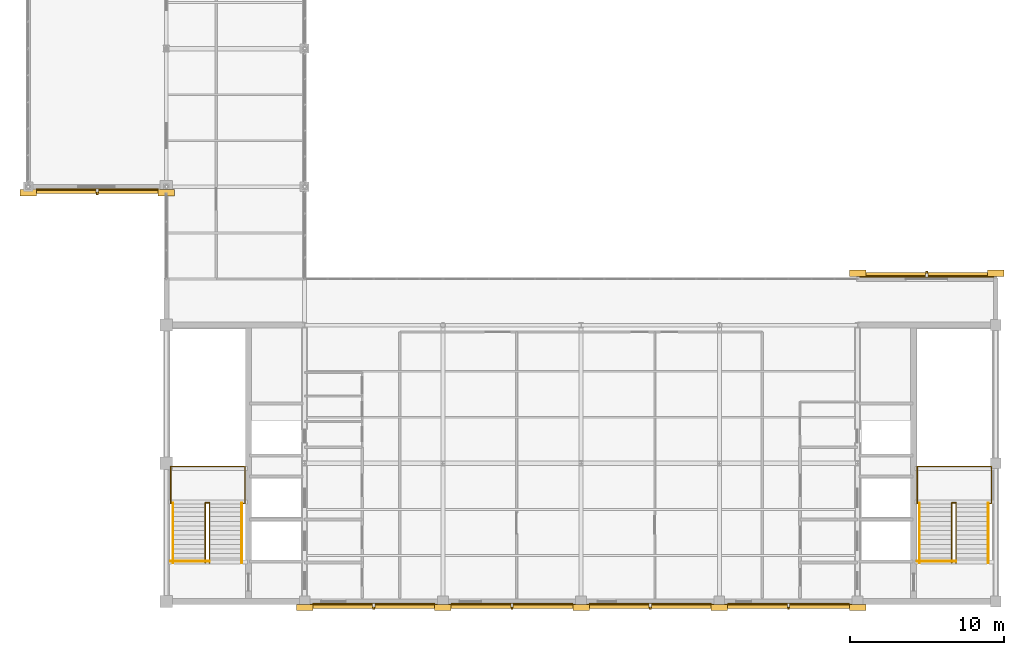
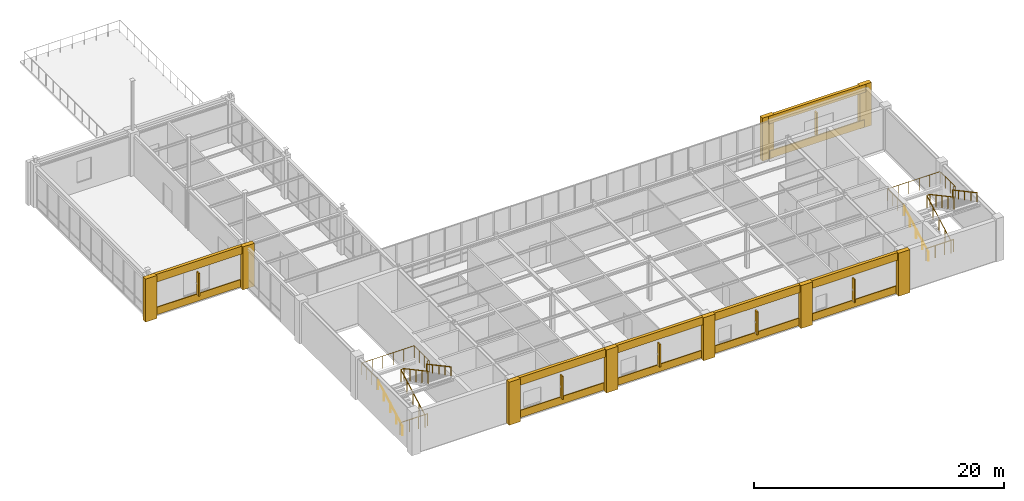
# One storey, part 35 of 36: 21 coverings, 10 railings, 6 shading devices.
"""IFC4 building model written with IfcOpenShell, lengths in metres."""

from ifc_helpers import new_model, si_unit, direction, frame, origin, origin_2d, place, context, subcontext, project, spatial, rectangle, circle, extrude, material, layer, layer_set, type_object, element, save


model = new_model("IFC4")

# Units and contexts
model_context = context("Model", 3, precision=1e-05, world=origin(), true_north=direction((0.0, 1.0)))
body_context = subcontext(model_context, "Body", "Model", "MODEL_VIEW")
ifc_project = project(units=[si_unit("LENGTHUNIT", "METRE"), si_unit("AREAUNIT", "SQUARE_METRE"), si_unit("VOLUMEUNIT", "CUBIC_METRE"), si_unit("PLANEANGLEUNIT", "RADIAN"), si_unit("MASSUNIT", "GRAM", prefix="KILO")], contexts=[model_context])

# Site, building, storey
site_placement = place(None, origin())
site = spatial("IfcSite", under=ifc_project, at=site_placement, CompositionType="ELEMENT")
building_placement = place(site_placement, origin())
building = spatial("IfcBuilding", under=site, at=building_placement, Name="Lykobir Media Centre", CompositionType="ELEMENT")
storey_placement = place(building_placement, frame((0.0, 0.0, 27.60009765625)))
storey = spatial("IfcBuildingStorey", under=building, at=storey_placement, Name="L06", CompositionType="ELEMENT", Elevation=27.60009765625)

# Coverings
ifc_material_1 = material(Name="Glazed Turquoise Terracotta", Category="masonry")
ifc_layer_1 = layer(ifc_material_1, 0.0400390625, Name="Glazed Turquoise Terracotta")
ifc_layer_set_1 = layer_set([ifc_layer_1], Name="Glazed Turquoise Terracotta")
covering_type_1 = type_object("IfcCoveringType", Name="CLD-TERR", PredefinedType="CLADDING", material=ifc_layer_set_1)
for number, where, z_axis, x_axis, name in (
    (1, (40.5, -0.1708984375, 0.080078125), (0.0, 0.0, 1.0), (1.0, 0.0, 0.0), "Facade spandrel apron 862"),
    (2, (49.5, -0.1708984375, 0.080078125), (0.0, 0.0, 1.0), (1.0, 0.0, 0.0), "Facade spandrel apron 865"),
    (3, (58.5, -0.1708984375, 0.080078125), (0.0, 0.0, 1.0), (1.0, 0.0, 0.0), "Facade spandrel apron 868"),
    (4, (67.5, -0.1708984375, 0.080078125), (0.0, 0.0, 1.0), (1.0, 0.0, 0.0), "Facade spandrel apron 871"),
):
    element("IfcCovering", number, at=place(storey_placement, frame(where, z_axis=z_axis, x_axis=x_axis)), inside=storey, type_object=covering_type_1, Name=name, PredefinedType="CLADDING", context=body_context, shape_type="SweptSolid", body=[
        extrude(rectangle(XDim=7.929931640625, YDim=0.10009765625, at=origin_2d()), origin(), (0.0, 0.0, 1.0), 0.719970703125),
    ])
covering_1_placement = place(storey_placement, frame((76.5, 21.1708984375, 0.080078125), z_axis=(0.0, 0.0, 1.0), x_axis=(-1.0, 0.0, 0.0)))
element("IfcCovering", 5, at=covering_1_placement, inside=storey, type_object=covering_type_1, Name="Facade spandrel apron 875", PredefinedType="CLADDING", context=body_context, shape_type="SweptSolid", body=[
    extrude(rectangle(XDim=8.75, YDim=0.10009765625, at=origin_2d()), origin(), (0.0, 0.0, 1.0), 0.719970703125),
])
covering_2_placement = place(storey_placement, frame((22.5, 26.8291015625, 0.080078125), z_axis=(0.0, 0.0, 1.0), x_axis=(1.0, 0.0, 0.0)))
element("IfcCovering", 6, at=covering_2_placement, inside=storey, type_object=covering_type_1, Name="Facade spandrel apron 886", PredefinedType="CLADDING", context=body_context, shape_type="SweptSolid", body=[
    extrude(rectangle(XDim=7.929931640625, YDim=0.10009765625, at=origin_2d()), origin(), (0.0, 0.0, 1.0), 0.719970703125),
])
ifc_material_2 = material(Name="Honed Travertine Stone", Category="masonry")
ifc_layer_2 = layer(ifc_material_2, 0.050048828125, Name="Honed Travertine Stone")
ifc_layer_set_2 = layer_set([ifc_layer_2], Name="Honed Travertine Stone")
covering_type_2 = type_object("IfcCoveringType", Name="CLD-TRAV", PredefinedType="CLADDING", material=ifc_layer_set_2)
for number, where, z_axis, x_axis, name in (
    (7, (36.0, -0.3798828125, 0.0), (0.0, 0.0, 1.0), (1.0, 0.0, 0.0), "Travertine column pier 859"),
    (8, (45.0, -0.3798828125, 0.0), (0.0, 0.0, 1.0), (1.0, 0.0, 0.0), "Travertine column pier 860"),
):
    element("IfcCovering", number, at=place(storey_placement, frame(where, z_axis=z_axis, x_axis=x_axis)), inside=storey, type_object=covering_type_2, Name=name, PredefinedType="CLADDING", context=body_context, shape_type="SweptSolid", body=[
        extrude(rectangle(XDim=1.06005859375, YDim=0.39990234375, at=origin_2d()), origin(), (0.0, 0.0, 1.0), 4.199951171875),
    ])
covering_3_placement = place(storey_placement, frame((40.5, -0.300048828125, 3.43994140625), z_axis=(0.0, 0.0, 1.0), x_axis=(1.0, 0.0, 0.0)))
element("IfcCovering", 9, at=covering_3_placement, inside=storey, type_object=covering_type_2, Name="Travertine spandrel stringcourse 861", PredefinedType="CLADDING", context=body_context, shape_type="SweptSolid", body=[
    extrude(rectangle(XDim=9.0, YDim=0.280029296875, at=origin_2d()), origin(), (0.0, 0.0, 1.0), 0.760009765625),
])
covering_4_placement = place(storey_placement, frame((54.0, -0.3798828125, 0.0), z_axis=(0.0, 0.0, 1.0), x_axis=(1.0, 0.0, 0.0)))
element("IfcCovering", 10, at=covering_4_placement, inside=storey, type_object=covering_type_2, Name="Travertine column pier 863", PredefinedType="CLADDING", context=body_context, shape_type="SweptSolid", body=[
    extrude(rectangle(XDim=1.06005859375, YDim=0.39990234375, at=origin_2d()), origin(), (0.0, 0.0, 1.0), 4.199951171875),
])
covering_5_placement = place(storey_placement, frame((49.5, -0.300048828125, 3.43994140625), z_axis=(0.0, 0.0, 1.0), x_axis=(1.0, 0.0, 0.0)))
element("IfcCovering", 11, at=covering_5_placement, inside=storey, type_object=covering_type_2, Name="Travertine spandrel stringcourse 864", PredefinedType="CLADDING", context=body_context, shape_type="SweptSolid", body=[
    extrude(rectangle(XDim=9.0, YDim=0.280029296875, at=origin_2d()), origin(), (0.0, 0.0, 1.0), 0.760009765625),
])
covering_6_placement = place(storey_placement, frame((63.0, -0.3798828125, 0.0), z_axis=(0.0, 0.0, 1.0), x_axis=(1.0, 0.0, 0.0)))
element("IfcCovering", 12, at=covering_6_placement, inside=storey, type_object=covering_type_2, Name="Travertine column pier 866", PredefinedType="CLADDING", context=body_context, shape_type="SweptSolid", body=[
    extrude(rectangle(XDim=1.06005859375, YDim=0.39990234375, at=origin_2d()), origin(), (0.0, 0.0, 1.0), 4.199951171875),
])
covering_7_placement = place(storey_placement, frame((58.5, -0.300048828125, 3.43994140625), z_axis=(0.0, 0.0, 1.0), x_axis=(1.0, 0.0, 0.0)))
element("IfcCovering", 13, at=covering_7_placement, inside=storey, type_object=covering_type_2, Name="Travertine spandrel stringcourse 867", PredefinedType="CLADDING", context=body_context, shape_type="SweptSolid", body=[
    extrude(rectangle(XDim=9.0, YDim=0.280029296875, at=origin_2d()), origin(), (0.0, 0.0, 1.0), 0.760009765625),
])
covering_8_placement = place(storey_placement, frame((72.0, -0.3798828125, 0.0), z_axis=(0.0, 0.0, 1.0), x_axis=(1.0, 0.0, 0.0)))
element("IfcCovering", 14, at=covering_8_placement, inside=storey, type_object=covering_type_2, Name="Travertine column pier 869", PredefinedType="CLADDING", context=body_context, shape_type="SweptSolid", body=[
    extrude(rectangle(XDim=1.06005859375, YDim=0.39990234375, at=origin_2d()), origin(), (0.0, 0.0, 1.0), 4.199951171875),
])
covering_9_placement = place(storey_placement, frame((67.5, -0.300048828125, 3.43994140625), z_axis=(0.0, 0.0, 1.0), x_axis=(1.0, 0.0, 0.0)))
element("IfcCovering", 15, at=covering_9_placement, inside=storey, type_object=covering_type_2, Name="Travertine spandrel stringcourse 870", PredefinedType="CLADDING", context=body_context, shape_type="SweptSolid", body=[
    extrude(rectangle(XDim=9.0, YDim=0.280029296875, at=origin_2d()), origin(), (0.0, 0.0, 1.0), 0.760009765625),
])
for number, where, z_axis, x_axis, name in (
    (16, (81.0, 21.3798828125, 0.0), (0.0, 0.0, 1.0), (-1.0, 0.0, 0.0), "Travertine column pier 872"),
    (17, (72.0, 21.3798828125, 0.0), (0.0, 0.0, 1.0), (-1.0, 0.0, 0.0), "Travertine column pier 873"),
):
    element("IfcCovering", number, at=place(storey_placement, frame(where, z_axis=z_axis, x_axis=x_axis)), inside=storey, type_object=covering_type_2, Name=name, PredefinedType="CLADDING", context=body_context, shape_type="SweptSolid", body=[
        extrude(rectangle(XDim=1.06005859375, YDim=0.39990234375, at=origin_2d()), origin(), (0.0, 0.0, 1.0), 4.199951171875),
    ])
covering_10_placement = place(storey_placement, frame((76.5, 21.300048828125, 3.43994140625), z_axis=(0.0, 0.0, 1.0), x_axis=(-1.0, 0.0, 0.0)))
element("IfcCovering", 18, at=covering_10_placement, inside=storey, type_object=covering_type_2, Name="Travertine spandrel stringcourse 874", PredefinedType="CLADDING", context=body_context, shape_type="SweptSolid", body=[
    extrude(rectangle(XDim=9.0, YDim=0.280029296875, at=origin_2d()), origin(), (0.0, 0.0, 1.0), 0.760009765625),
])
for number, where, z_axis, x_axis, name in (
    (19, (18.0, 26.6201171875, 0.0), (0.0, 0.0, 1.0), (1.0, 0.0, 0.0), "Travertine column pier 883"),
    (20, (27.0, 26.6201171875, 0.0), (0.0, 0.0, 1.0), (1.0, 0.0, 0.0), "Travertine column pier 884"),
):
    element("IfcCovering", number, at=place(storey_placement, frame(where, z_axis=z_axis, x_axis=x_axis)), inside=storey, type_object=covering_type_2, Name=name, PredefinedType="CLADDING", context=body_context, shape_type="SweptSolid", body=[
        extrude(rectangle(XDim=1.06005859375, YDim=0.39990234375, at=origin_2d()), origin(), (0.0, 0.0, 1.0), 4.199951171875),
    ])
covering_11_placement = place(storey_placement, frame((22.5, 26.699951171875, 3.43994140625), z_axis=(0.0, 0.0, 1.0), x_axis=(1.0, 0.0, 0.0)))
element("IfcCovering", 21, at=covering_11_placement, inside=storey, type_object=covering_type_2, Name="Travertine spandrel stringcourse 885", PredefinedType="CLADDING", context=body_context, shape_type="SweptSolid", body=[
    extrude(rectangle(XDim=9.0, YDim=0.280029296875, at=origin_2d()), origin(), (0.0, 0.0, 1.0), 0.760009765625),
])

# Railings
ifc_material_3 = material(Name="Steel S355", Category="steel")
railing_type_1 = type_object("IfcRailingType", Name="GR-1200", PredefinedType="BALUSTRADE", material=ifc_material_3)
railing_1_placement = place(storey_placement, frame((27.27001953125, 2.6298828125, 0.0)))
element("IfcRailing", 22, at=railing_1_placement, inside=storey, type_object=railing_type_1, Name="ST-1 L06 arrival well guard", PredefinedType="BALUSTRADE", context=body_context, shape_type="SweptSolid", body=[
    extrude(circle(Radius=0.02392578125, at=origin_2d()), frame((0.0, 0.0, 1.17578125), z_axis=(1.0, 0.0, 0.0), x_axis=(0.0, 1.0, 0.0)), (0.0, 0.0, 1.0), 2.5400390625),
    extrude(circle(Radius=0.02099609375, at=origin_2d()), origin(), (0.0, 0.0, 1.0), 1.15185546875),
    extrude(circle(Radius=0.02099609375, at=origin_2d()), frame((0.8466796875, 0.0, 0.0)), (0.0, 0.0, 1.0), 1.15185546875),
    extrude(circle(Radius=0.02099609375, at=origin_2d()), frame((1.693359375, 0.0, 0.0)), (0.0, 0.0, 1.0), 1.15185546875),
    extrude(circle(Radius=0.02099609375, at=origin_2d()), frame((2.5400390625, 0.0, 0.0)), (0.0, 0.0, 1.0), 1.15185546875),
])
railing_2_placement = place(storey_placement, frame((29.530029296875, 2.530029296875, 0.0)))
element("IfcRailing", 23, at=railing_2_placement, inside=storey, type_object=railing_type_1, Name="ST-1 L06 inner well and slot guard", PredefinedType="BALUSTRADE", context=body_context, shape_type="SweptSolid", body=[
    extrude(circle(Radius=0.02392578125, at=origin_2d()), frame((0.0, 0.0, 1.17578125), z_axis=(0.0, 0.88047994924, 0.474083388219), x_axis=(-1.0, 0.0, 0.0)), (0.0, 0.0, 1.0), 4.42919921875),
    extrude(circle(Radius=0.02392578125, at=origin_2d()), frame((0.0, 3.89990234375, 3.27587890625), z_axis=(1.0, 0.0, 0.0), x_axis=(0.0, 1.0, 0.0)), (0.0, 0.0, 1.0), 0.280029296875),
    extrude(circle(Radius=0.02392578125, at=origin_2d()), frame((0.280029296875, 3.89990234375, 3.27587890625), z_axis=(0.0, -0.880456940745, 0.474126117709), x_axis=(1.0, 0.0, 0.0)), (0.0, 0.0, 1.0), 4.429443359375),
    extrude(circle(Radius=0.02099609375, at=origin_2d()), origin(), (0.0, 0.0, 1.0), 1.15185546875),
    extrude(circle(Radius=0.02099609375, at=origin_2d()), frame((0.0, 0.97509765625, 0.52490234375)), (0.0, 0.0, 1.0), 1.15185546875),
    extrude(circle(Radius=0.02099609375, at=origin_2d()), frame((0.0, 1.949951171875, 1.0498046875)), (0.0, 0.0, 1.0), 1.15185546875),
    extrude(circle(Radius=0.02099609375, at=origin_2d()), frame((0.0, 2.9248046875, 1.574951171875)), (0.0, 0.0, 1.0), 1.15185546875),
    extrude(circle(Radius=0.02099609375, at=origin_2d()), frame((0.0, 3.89990234375, 2.099853515625)), (0.0, 0.0, 1.0), 1.15185546875),
    extrude(circle(Radius=0.02099609375, at=origin_2d()), frame((0.280029296875, 3.89990234375, 2.099853515625)), (0.0, 0.0, 1.0), 1.15185546875),
    extrude(circle(Radius=0.02099609375, at=origin_2d()), frame((0.280029296875, 2.9248046875, 2.625)), (0.0, 0.0, 1.0), 1.15185546875),
    extrude(circle(Radius=0.02099609375, at=origin_2d()), frame((0.280029296875, 1.949951171875, 3.14990234375)), (0.0, 0.0, 1.0), 1.15185546875),
    extrude(circle(Radius=0.02099609375, at=origin_2d()), frame((0.280029296875, 0.97509765625, 3.6748046875)), (0.0, 0.0, 1.0), 1.15185546875),
    extrude(circle(Radius=0.02099609375, at=origin_2d()), frame((0.280029296875, 0.0, 4.199951171875)), (0.0, 0.0, 1.0), 1.15185546875),
])
railing_3_placement = place(storey_placement, frame((27.389892578125, 6.389892578125, 2.099853515625)))
element("IfcRailing", 24, at=railing_3_placement, inside=storey, type_object=railing_type_1, Name="ST-1 L06 half-landing perimeter guard", PredefinedType="BALUSTRADE", context=body_context, shape_type="SweptSolid", body=[
    extrude(circle(Radius=0.02392578125, at=origin_2d()), frame((0.0, 0.0, 1.17578125), z_axis=(-1.0, 0.0, 0.0), x_axis=(0.0, -1.0, 0.0)), (0.0, 0.0, 1.0), 0.10986328125),
    extrude(circle(Radius=0.02392578125, at=origin_2d()), frame((-0.10986328125, 0.0, 1.17578125), z_axis=(0.0, 1.0, 0.0), x_axis=(-1.0, 0.0, 0.0)), (0.0, 0.0, 1.0), 2.400146484375),
    extrude(circle(Radius=0.02392578125, at=origin_2d()), frame((-0.10986328125, 2.400146484375, 1.17578125), z_axis=(1.0, 0.0, 0.0), x_axis=(0.0, 1.0, 0.0)), (0.0, 0.0, 1.0), 4.840087890625),
    extrude(circle(Radius=0.02392578125, at=origin_2d()), frame((4.730224609375, 2.400146484375, 1.17578125), z_axis=(0.0, -1.0, 0.0), x_axis=(1.0, 0.0, 0.0)), (0.0, 0.0, 1.0), 2.400146484375),
    extrude(circle(Radius=0.02392578125, at=origin_2d()), frame((4.730224609375, 0.0, 1.17578125), z_axis=(-1.0, 0.0, 0.0), x_axis=(0.0, -1.0, 0.0)), (0.0, 0.0, 1.0), 0.170166015625),
    extrude(circle(Radius=0.02099609375, at=origin_2d()), origin(), (0.0, 0.0, 1.0), 1.15185546875),
    extrude(circle(Radius=0.02099609375, at=origin_2d()), frame((-0.10986328125, 0.0, 0.0)), (0.0, 0.0, 1.0), 1.15185546875),
    extrude(circle(Radius=0.02099609375, at=origin_2d()), frame((-0.10986328125, 0.800048828125, 0.0)), (0.0, 0.0, 1.0), 1.15185546875),
    extrude(circle(Radius=0.02099609375, at=origin_2d()), frame((-0.10986328125, 1.60009765625, 0.0)), (0.0, 0.0, 1.0), 1.15185546875),
    extrude(circle(Radius=0.02099609375, at=origin_2d()), frame((-0.10986328125, 2.400146484375, 0.0)), (0.0, 0.0, 1.0), 1.15185546875),
    extrude(circle(Radius=0.02099609375, at=origin_2d()), frame((0.858154296875, 2.400146484375, 0.0)), (0.0, 0.0, 1.0), 1.15185546875),
    extrude(circle(Radius=0.02099609375, at=origin_2d()), frame((1.826171875, 2.400146484375, 0.0)), (0.0, 0.0, 1.0), 1.15185546875),
    extrude(circle(Radius=0.02099609375, at=origin_2d()), frame((2.794189453125, 2.400146484375, 0.0)), (0.0, 0.0, 1.0), 1.15185546875),
    extrude(circle(Radius=0.02099609375, at=origin_2d()), frame((3.76220703125, 2.400146484375, 0.0)), (0.0, 0.0, 1.0), 1.15185546875),
    extrude(circle(Radius=0.02099609375, at=origin_2d()), frame((4.730224609375, 2.400146484375, 0.0)), (0.0, 0.0, 1.0), 1.15185546875),
    extrude(circle(Radius=0.02099609375, at=origin_2d()), frame((4.730224609375, 1.60009765625, 0.0)), (0.0, 0.0, 1.0), 1.15185546875),
    extrude(circle(Radius=0.02099609375, at=origin_2d()), frame((4.730224609375, 0.800048828125, 0.0)), (0.0, 0.0, 1.0), 1.15185546875),
    extrude(circle(Radius=0.02099609375, at=origin_2d()), frame((4.730224609375, 0.0, 0.0)), (0.0, 0.0, 1.0), 1.15185546875),
    extrude(circle(Radius=0.02099609375, at=origin_2d()), frame((4.56005859375, 0.0, 0.0)), (0.0, 0.0, 1.0), 1.15185546875),
])
railing_4_placement = place(storey_placement, frame((75.8701171875, 2.6298828125, 0.0)))
element("IfcRailing", 25, at=railing_4_placement, inside=storey, type_object=railing_type_1, Name="ST-2 L06 arrival well guard", PredefinedType="BALUSTRADE", context=body_context, shape_type="SweptSolid", body=[
    extrude(circle(Radius=0.02392578125, at=origin_2d()), frame((0.0, 0.0, 1.17578125), z_axis=(1.0, 0.0, 0.0), x_axis=(0.0, 1.0, 0.0)), (0.0, 0.0, 1.0), 2.539794921875),
    extrude(circle(Radius=0.02099609375, at=origin_2d()), origin(), (0.0, 0.0, 1.0), 1.15185546875),
    extrude(circle(Radius=0.02099609375, at=origin_2d()), frame((0.8466796875, 0.0, 0.0)), (0.0, 0.0, 1.0), 1.15185546875),
    extrude(circle(Radius=0.02099609375, at=origin_2d()), frame((1.693115234375, 0.0, 0.0)), (0.0, 0.0, 1.0), 1.15185546875),
    extrude(circle(Radius=0.02099609375, at=origin_2d()), frame((2.539794921875, 0.0, 0.0)), (0.0, 0.0, 1.0), 1.15185546875),
])
railing_5_placement = place(storey_placement, frame((78.1298828125, 2.530029296875, 0.0)))
element("IfcRailing", 26, at=railing_5_placement, inside=storey, type_object=railing_type_1, Name="ST-2 L06 inner well and slot guard", PredefinedType="BALUSTRADE", context=body_context, shape_type="SweptSolid", body=[
    extrude(circle(Radius=0.02392578125, at=origin_2d()), frame((0.0, 0.0, 1.17578125), z_axis=(0.0, 0.88047994924, 0.474083388219), x_axis=(-1.0, 0.0, 0.0)), (0.0, 0.0, 1.0), 4.42919921875),
    extrude(circle(Radius=0.02392578125, at=origin_2d()), frame((0.0, 3.89990234375, 3.27587890625), z_axis=(1.0, 0.0, 0.0), x_axis=(0.0, 1.0, 0.0)), (0.0, 0.0, 1.0), 0.280029296875),
    extrude(circle(Radius=0.02392578125, at=origin_2d()), frame((0.280029296875, 3.89990234375, 3.27587890625), z_axis=(0.0, -0.880456940745, 0.474126117709), x_axis=(1.0, 0.0, 0.0)), (0.0, 0.0, 1.0), 4.429443359375),
    extrude(circle(Radius=0.02099609375, at=origin_2d()), origin(), (0.0, 0.0, 1.0), 1.15185546875),
    extrude(circle(Radius=0.02099609375, at=origin_2d()), frame((0.0, 0.97509765625, 0.52490234375)), (0.0, 0.0, 1.0), 1.15185546875),
    extrude(circle(Radius=0.02099609375, at=origin_2d()), frame((0.0, 1.949951171875, 1.0498046875)), (0.0, 0.0, 1.0), 1.15185546875),
    extrude(circle(Radius=0.02099609375, at=origin_2d()), frame((0.0, 2.9248046875, 1.574951171875)), (0.0, 0.0, 1.0), 1.15185546875),
    extrude(circle(Radius=0.02099609375, at=origin_2d()), frame((0.0, 3.89990234375, 2.099853515625)), (0.0, 0.0, 1.0), 1.15185546875),
    extrude(circle(Radius=0.02099609375, at=origin_2d()), frame((0.280029296875, 3.89990234375, 2.099853515625)), (0.0, 0.0, 1.0), 1.15185546875),
    extrude(circle(Radius=0.02099609375, at=origin_2d()), frame((0.280029296875, 2.9248046875, 2.625)), (0.0, 0.0, 1.0), 1.15185546875),
    extrude(circle(Radius=0.02099609375, at=origin_2d()), frame((0.280029296875, 1.949951171875, 3.14990234375)), (0.0, 0.0, 1.0), 1.15185546875),
    extrude(circle(Radius=0.02099609375, at=origin_2d()), frame((0.280029296875, 0.97509765625, 3.6748046875)), (0.0, 0.0, 1.0), 1.15185546875),
    extrude(circle(Radius=0.02099609375, at=origin_2d()), frame((0.280029296875, 0.0, 4.199951171875)), (0.0, 0.0, 1.0), 1.15185546875),
])
railing_6_placement = place(storey_placement, frame((75.989990234375, 6.389892578125, 2.099853515625)))
element("IfcRailing", 27, at=railing_6_placement, inside=storey, type_object=railing_type_1, Name="ST-2 L06 half-landing perimeter guard", PredefinedType="BALUSTRADE", context=body_context, shape_type="SweptSolid", body=[
    extrude(circle(Radius=0.02392578125, at=origin_2d()), frame((0.0, 0.0, 1.17578125), z_axis=(-1.0, 0.0, 0.0), x_axis=(0.0, -1.0, 0.0)), (0.0, 0.0, 1.0), 0.110107421875),
    extrude(circle(Radius=0.02392578125, at=origin_2d()), frame((-0.110107421875, 0.0, 1.17578125), z_axis=(0.0, 1.0, 0.0), x_axis=(-1.0, 0.0, 0.0)), (0.0, 0.0, 1.0), 2.400146484375),
    extrude(circle(Radius=0.02392578125, at=origin_2d()), frame((-0.110107421875, 2.400146484375, 1.17578125), z_axis=(1.0, 0.0, 0.0), x_axis=(0.0, 1.0, 0.0)), (0.0, 0.0, 1.0), 4.840087890625),
    extrude(circle(Radius=0.02392578125, at=origin_2d()), frame((4.72998046875, 2.400146484375, 1.17578125), z_axis=(0.0, -1.0, 0.0), x_axis=(1.0, 0.0, 0.0)), (0.0, 0.0, 1.0), 2.400146484375),
    extrude(circle(Radius=0.02392578125, at=origin_2d()), frame((4.72998046875, 0.0, 1.17578125), z_axis=(-1.0, 0.0, 0.0), x_axis=(0.0, -1.0, 0.0)), (0.0, 0.0, 1.0), 0.169921875),
    extrude(circle(Radius=0.02099609375, at=origin_2d()), origin(), (0.0, 0.0, 1.0), 1.15185546875),
    extrude(circle(Radius=0.02099609375, at=origin_2d()), frame((-0.110107421875, 0.0, 0.0)), (0.0, 0.0, 1.0), 1.15185546875),
    extrude(circle(Radius=0.02099609375, at=origin_2d()), frame((-0.110107421875, 0.800048828125, 0.0)), (0.0, 0.0, 1.0), 1.15185546875),
    extrude(circle(Radius=0.02099609375, at=origin_2d()), frame((-0.110107421875, 1.60009765625, 0.0)), (0.0, 0.0, 1.0), 1.15185546875),
    extrude(circle(Radius=0.02099609375, at=origin_2d()), frame((-0.110107421875, 2.400146484375, 0.0)), (0.0, 0.0, 1.0), 1.15185546875),
    extrude(circle(Radius=0.02099609375, at=origin_2d()), frame((0.85791015625, 2.400146484375, 0.0)), (0.0, 0.0, 1.0), 1.15185546875),
    extrude(circle(Radius=0.02099609375, at=origin_2d()), frame((1.825927734375, 2.400146484375, 0.0)), (0.0, 0.0, 1.0), 1.15185546875),
    extrude(circle(Radius=0.02099609375, at=origin_2d()), frame((2.7939453125, 2.400146484375, 0.0)), (0.0, 0.0, 1.0), 1.15185546875),
    extrude(circle(Radius=0.02099609375, at=origin_2d()), frame((3.761962890625, 2.400146484375, 0.0)), (0.0, 0.0, 1.0), 1.15185546875),
    extrude(circle(Radius=0.02099609375, at=origin_2d()), frame((4.72998046875, 2.400146484375, 0.0)), (0.0, 0.0, 1.0), 1.15185546875),
    extrude(circle(Radius=0.02099609375, at=origin_2d()), frame((4.72998046875, 1.60009765625, 0.0)), (0.0, 0.0, 1.0), 1.15185546875),
    extrude(circle(Radius=0.02099609375, at=origin_2d()), frame((4.72998046875, 0.800048828125, 0.0)), (0.0, 0.0, 1.0), 1.15185546875),
    extrude(circle(Radius=0.02099609375, at=origin_2d()), frame((4.72998046875, 0.0, 0.0)), (0.0, 0.0, 1.0), 1.15185546875),
    extrude(circle(Radius=0.02099609375, at=origin_2d()), frame((4.56005859375, 0.0, 0.0)), (0.0, 0.0, 1.0), 1.15185546875),
])
railing_type_2 = type_object("IfcRailingType", Name="HR-0900", PredefinedType="HANDRAIL", material=ifc_material_3)
railing_7_placement = place(storey_placement, frame((27.429931640625, 2.530029296875, 0.0)))
element("IfcRailing", 28, at=railing_7_placement, inside=storey, type_object=railing_type_2, Name="ST-1 L06 F1 wall handrail", PredefinedType="HANDRAIL", context=body_context, shape_type="SweptSolid", body=[
    extrude(circle(Radius=0.02392578125, at=origin_2d()), frame((0.0, 0.0, 0.8759765625), z_axis=(0.0, 0.88047994924, 0.474083388219), x_axis=(-1.0, 0.0, 0.0)), (0.0, 0.0, 1.0), 4.42919921875),
    extrude(circle(Radius=0.02099609375, at=origin_2d()), origin(), (0.0, 0.0, 1.0), 0.851806640625),
    extrude(circle(Radius=0.02099609375, at=origin_2d()), frame((0.0, 0.97509765625, 0.52490234375)), (0.0, 0.0, 1.0), 0.851806640625),
    extrude(circle(Radius=0.02099609375, at=origin_2d()), frame((0.0, 1.949951171875, 1.0498046875)), (0.0, 0.0, 1.0), 0.851806640625),
    extrude(circle(Radius=0.02099609375, at=origin_2d()), frame((0.0, 2.9248046875, 1.574951171875)), (0.0, 0.0, 1.0), 0.851806640625),
    extrude(circle(Radius=0.02099609375, at=origin_2d()), frame((0.0, 3.89990234375, 2.099853515625)), (0.0, 0.0, 1.0), 0.851806640625),
])
railing_8_placement = place(storey_placement, frame((31.909912109375, 6.429931640625, 2.099853515625)))
element("IfcRailing", 29, at=railing_8_placement, inside=storey, type_object=railing_type_2, Name="ST-1 L06 F2 wall handrail", PredefinedType="HANDRAIL", context=body_context, shape_type="SweptSolid", body=[
    extrude(circle(Radius=0.02392578125, at=origin_2d()), frame((0.0, 0.0, 0.8759765625), z_axis=(0.0, -0.880456940745, 0.474126117709), x_axis=(1.0, 0.0, 0.0)), (0.0, 0.0, 1.0), 4.429443359375),
    extrude(circle(Radius=0.02099609375, at=origin_2d()), origin(), (0.0, 0.0, 1.0), 0.851806640625),
    extrude(circle(Radius=0.02099609375, at=origin_2d()), frame((0.0, -0.97509765625, 0.52490234375)), (0.0, 0.0, 1.0), 0.851806640625),
    extrude(circle(Radius=0.02099609375, at=origin_2d()), frame((0.0, -1.949951171875, 1.050048828125)), (0.0, 0.0, 1.0), 0.851806640625),
    extrude(circle(Radius=0.02099609375, at=origin_2d()), frame((0.0, -2.9248046875, 1.5751953125)), (0.0, 0.0, 1.0), 0.851806640625),
    extrude(circle(Radius=0.02099609375, at=origin_2d()), frame((0.0, -3.89990234375, 2.10009765625)), (0.0, 0.0, 1.0), 0.851806640625),
])
railing_9_placement = place(storey_placement, frame((76.030029296875, 2.530029296875, 0.0)))
element("IfcRailing", 30, at=railing_9_placement, inside=storey, type_object=railing_type_2, Name="ST-2 L06 F1 wall handrail", PredefinedType="HANDRAIL", context=body_context, shape_type="SweptSolid", body=[
    extrude(circle(Radius=0.02392578125, at=origin_2d()), frame((0.0, 0.0, 0.8759765625), z_axis=(0.0, 0.88047994924, 0.474083388219), x_axis=(-1.0, 0.0, 0.0)), (0.0, 0.0, 1.0), 4.42919921875),
    extrude(circle(Radius=0.02099609375, at=origin_2d()), origin(), (0.0, 0.0, 1.0), 0.851806640625),
    extrude(circle(Radius=0.02099609375, at=origin_2d()), frame((0.0, 0.97509765625, 0.52490234375)), (0.0, 0.0, 1.0), 0.851806640625),
    extrude(circle(Radius=0.02099609375, at=origin_2d()), frame((0.0, 1.949951171875, 1.0498046875)), (0.0, 0.0, 1.0), 0.851806640625),
    extrude(circle(Radius=0.02099609375, at=origin_2d()), frame((0.0, 2.9248046875, 1.574951171875)), (0.0, 0.0, 1.0), 0.851806640625),
    extrude(circle(Radius=0.02099609375, at=origin_2d()), frame((0.0, 3.89990234375, 2.099853515625)), (0.0, 0.0, 1.0), 0.851806640625),
])
railing_10_placement = place(storey_placement, frame((80.510009765625, 6.429931640625, 2.099853515625)))
element("IfcRailing", 31, at=railing_10_placement, inside=storey, type_object=railing_type_2, Name="ST-2 L06 F2 wall handrail", PredefinedType="HANDRAIL", context=body_context, shape_type="SweptSolid", body=[
    extrude(circle(Radius=0.02392578125, at=origin_2d()), frame((0.0, 0.0, 0.8759765625), z_axis=(0.0, -0.880456940745, 0.474126117709), x_axis=(1.0, 0.0, 0.0)), (0.0, 0.0, 1.0), 4.429443359375),
    extrude(circle(Radius=0.02099609375, at=origin_2d()), origin(), (0.0, 0.0, 1.0), 0.851806640625),
    extrude(circle(Radius=0.02099609375, at=origin_2d()), frame((0.0, -0.97509765625, 0.52490234375)), (0.0, 0.0, 1.0), 0.851806640625),
    extrude(circle(Radius=0.02099609375, at=origin_2d()), frame((0.0, -1.949951171875, 1.050048828125)), (0.0, 0.0, 1.0), 0.851806640625),
    extrude(circle(Radius=0.02099609375, at=origin_2d()), frame((0.0, -2.9248046875, 1.5751953125)), (0.0, 0.0, 1.0), 0.851806640625),
    extrude(circle(Radius=0.02099609375, at=origin_2d()), frame((0.0, -3.89990234375, 2.10009765625)), (0.0, 0.0, 1.0), 0.851806640625),
])

# Shading devices
shading_device_type = type_object("IfcShadingDeviceType", Name="SHD-FIN", PredefinedType="USERDEFINED", material=ifc_material_1)
for number, where, z_axis, x_axis, name in (
    (32, (40.5, -0.324951171875, 0.724853515625), (0.0, 0.0, 1.0), (1.0, 0.0, 0.0), "Terracotta shading fin 114"),
    (33, (49.5, -0.324951171875, 0.724853515625), (0.0, 0.0, 1.0), (1.0, 0.0, 0.0), "Terracotta shading fin 115"),
    (34, (58.5, -0.324951171875, 0.724853515625), (0.0, 0.0, 1.0), (1.0, 0.0, 0.0), "Terracotta shading fin 116"),
    (35, (67.5, -0.324951171875, 0.724853515625), (0.0, 0.0, 1.0), (1.0, 0.0, 0.0), "Terracotta shading fin 117"),
    (36, (76.5, 21.324951171875, 0.724853515625), (0.0, 0.0, 1.0), (-1.0, 0.0, 0.0), "Terracotta shading fin 118"),
    (37, (22.5, 26.675048828125, 0.724853515625), (0.0, 0.0, 1.0), (1.0, 0.0, 0.0), "Terracotta shading fin 121"),
):
    element("IfcShadingDevice", number, at=place(storey_placement, frame(where, z_axis=z_axis, x_axis=x_axis)), inside=storey, type_object=shading_device_type, Name=name, ObjectType="FIN", PredefinedType="USERDEFINED", context=body_context, shape_type="SweptSolid", body=[
        extrude(rectangle(XDim=0.1201171875, YDim=0.35009765625, at=origin_2d()), origin(), (0.0, 0.0, 1.0), 2.25),
    ])

save(model, "model.ifc")
